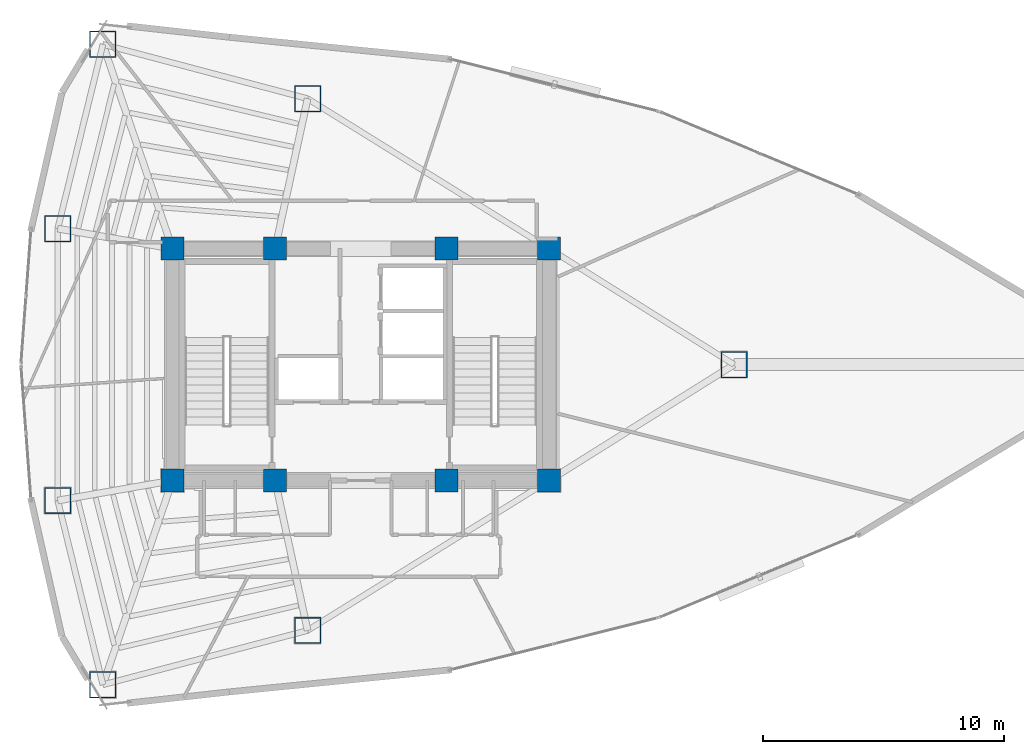
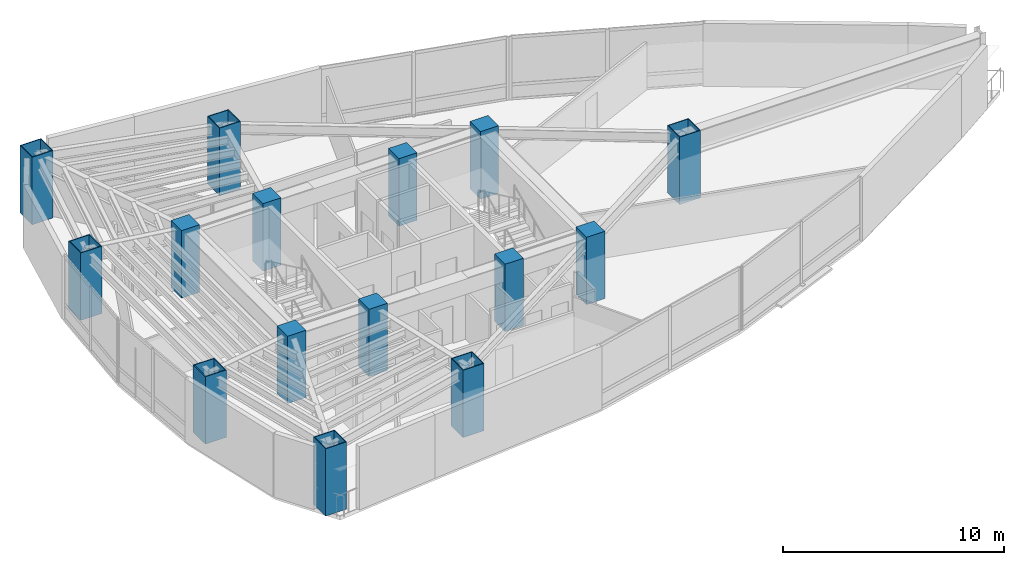
# One storey, part 1 of 18: 15 columns.
"""IFC4 building model written with IfcOpenShell, lengths in metres."""

from ifc_helpers import new_model, si_unit, direction, frame, origin, origin_2d, place, context, subcontext, project, spatial, rectangle, hollow_rectangle, extrude, material, material_profile, profile_set, type_object, element, save


model = new_model("IFC4")

# Units and contexts
model_context = context("Model", 3, precision=1e-05, world=origin(), true_north=direction((0.0, 1.0)))
body_context = subcontext(model_context, "Body", "Model", "MODEL_VIEW")
ifc_project = project(units=[si_unit("LENGTHUNIT", "METRE"), si_unit("AREAUNIT", "SQUARE_METRE"), si_unit("VOLUMEUNIT", "CUBIC_METRE"), si_unit("PLANEANGLEUNIT", "RADIAN"), si_unit("MASSUNIT", "GRAM", prefix="KILO")], contexts=[model_context])

# Site, building, storey
site_placement = place(None, origin())
site = spatial("IfcSite", under=ifc_project, at=site_placement, CompositionType="ELEMENT")
building_placement = place(site_placement, origin())
building = spatial("IfcBuilding", under=site, at=building_placement, Name="Menara Vayukalpa", CompositionType="ELEMENT")
storey_placement = place(building_placement, frame((0.0, 0.0, 158.0400390625)))
storey = spatial("IfcBuildingStorey", under=building, at=storey_placement, Name="L39", CompositionType="ELEMENT", Elevation=158.0400390625)

# Columns
ifc_material_1 = material(Name="Concrete C60/75", Category="concrete")
ifc_material_profile_1 = material_profile(ifc_material_1, rectangle(XDim=0.949951171875, YDim=0.949951171875, at=origin_2d()), Name="RC 950x950")
ifc_profile_set_1 = profile_set([ifc_material_profile_1], Name="Concrete C60/75")
column_type_1 = type_object("IfcColumnType", Name="COL-CC2", PredefinedType="COLUMN", material=ifc_profile_set_1)
for number, where, z_axis, x_axis, name in (
    (1, (17.800048828125, 17.199951171875, 0.0), (0.0, 0.0, 1.0), (1.0, 0.0, 0.0), "L39 Core Pilaster Column CC1"),
    (2, (22.050048828125, 17.199951171875, 0.0), (0.0, 0.0, 1.0), (1.0, 0.0, 0.0), "L39 Core Pilaster Column CC2"),
    (3, (29.14990234375, 17.199951171875, 0.0), (0.0, 0.0, 1.0), (1.0, 0.0, 0.0), "L39 Core Pilaster Column CC3"),
    (4, (33.39990234375, 17.199951171875, 0.0), (0.0, 0.0, 1.0), (1.0, 0.0, 0.0), "L39 Core Pilaster Column CC4"),
    (5, (17.800048828125, 26.800048828125, 0.0), (0.0, 0.0, 1.0), (1.0, 0.0, 0.0), "L39 Core Pilaster Column CC5"),
    (6, (22.050048828125, 26.800048828125, 0.0), (0.0, 0.0, 1.0), (1.0, 0.0, 0.0), "L39 Core Pilaster Column CC6"),
    (7, (29.14990234375, 26.800048828125, 0.0), (0.0, 0.0, 1.0), (1.0, 0.0, 0.0), "L39 Core Pilaster Column CC7"),
    (8, (33.39990234375, 26.800048828125, 0.0), (0.0, 0.0, 1.0), (1.0, 0.0, 0.0), "L39 Core Pilaster Column CC8"),
):
    element("IfcColumn", number, at=place(storey_placement, frame(where, z_axis=z_axis, x_axis=x_axis)), inside=storey, type_object=column_type_1, Name=name, PredefinedType="COLUMN", context=body_context, shape_type="SweptSolid", body=[
        extrude(rectangle(XDim=0.949951171875, YDim=0.949951171875, at=origin_2d()), origin(), (0.0, 0.0, 1.0), 3.719970703125),
    ])
ifc_material_2 = material(Name="Steel S460", Category="steel")
ifc_material_profile_2 = material_profile(ifc_material_2, hollow_rectangle(XDim=1.10009765625, YDim=1.10009765625, WallThickness=0.044921875, at=origin_2d()), Name="BOX 1100x1100x45")
ifc_profile_set_2 = profile_set([ifc_material_profile_2], Name="Steel S460")
column_type_2 = type_object("IfcColumnType", Name="COL-MC3", PredefinedType="COLUMN", material=ifc_profile_set_2)
for number, where, z_axis, x_axis, name in (
    (9, (41.05908203125, 22.0, 0.0), (0.0, 0.0, 1.0), (1.0, 0.0, 0.0), "L39 Perimeter Mega Column P01"),
    (10, (23.39697265625, 33.011962890625, 0.0), (0.0, 0.0, 1.0), (1.0, 0.0, 0.0), "L39 Perimeter Mega Column P03"),
    (11, (14.92041015625, 35.260498046875, 0.0), (0.0, 0.0, 1.0), (1.0, 0.0, 0.0), "L39 Perimeter Mega Column P04"),
    (12, (13.049072265625, 27.6318359375, 0.0), (0.0, 0.0, 1.0), (1.0, 0.0, 0.0), "L39 Perimeter Mega Column P05"),
    (13, (13.049072265625, 16.3681640625, 0.0), (0.0, 0.0, 1.0), (1.0, 0.0, 0.0), "L39 Perimeter Mega Column P06"),
    (14, (14.92041015625, 8.739501953125, 0.0), (0.0, 0.0, 1.0), (1.0, 0.0, 0.0), "L39 Perimeter Mega Column P07"),
    (15, (23.39697265625, 10.988037109375, 0.0), (0.0, 0.0, 1.0), (1.0, 0.0, 0.0), "L39 Perimeter Mega Column P08"),
):
    element("IfcColumn", number, at=place(storey_placement, frame(where, z_axis=z_axis, x_axis=x_axis)), inside=storey, type_object=column_type_2, Name=name, PredefinedType="COLUMN", context=body_context, shape_type="SweptSolid", body=[
        extrude(hollow_rectangle(XDim=1.10009765625, YDim=1.10009765625, WallThickness=0.044921875, at=origin_2d()), origin(), (0.0, 0.0, 1.0), 3.719970703125),
    ])

save(model, "model.ifc")
